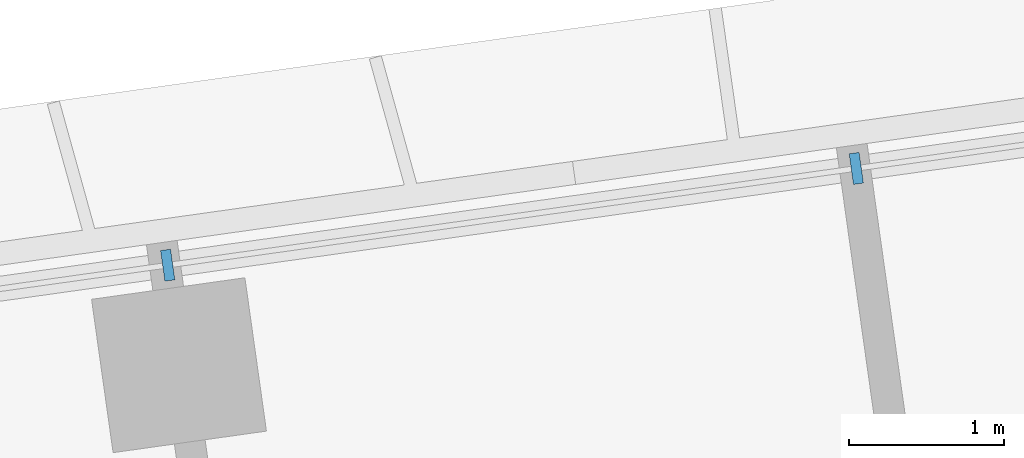
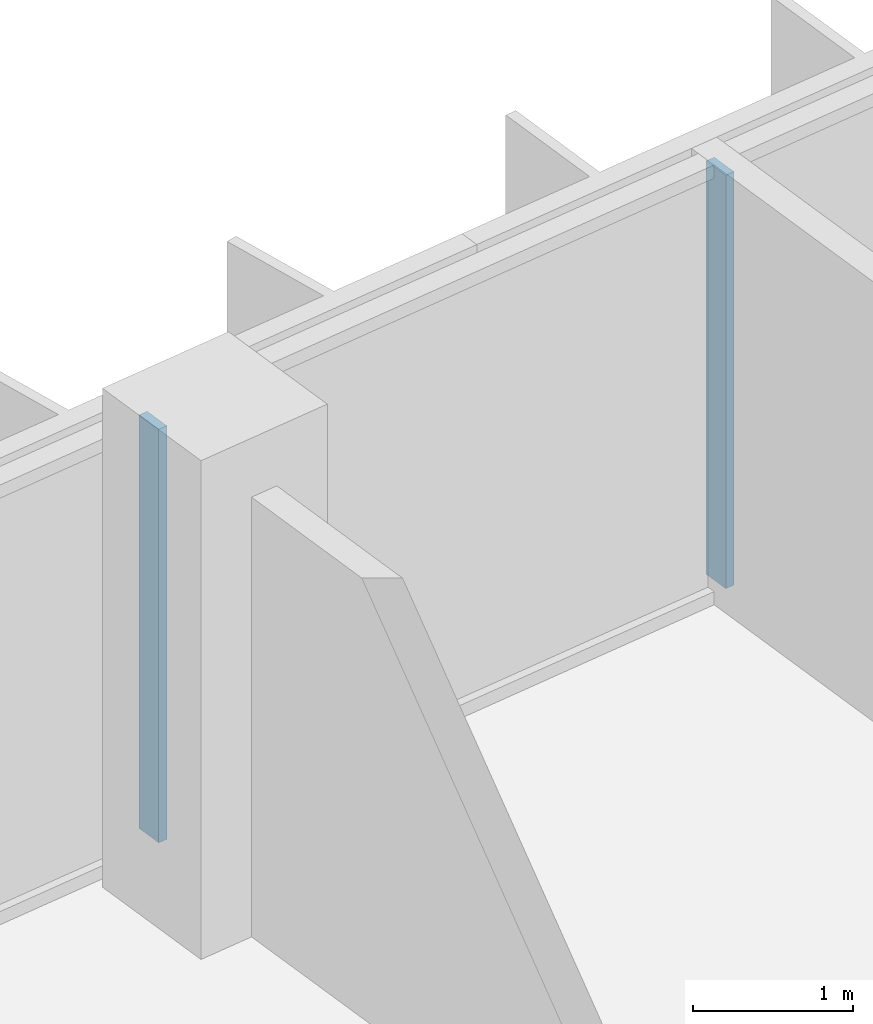
# One storey, part 8 of 24: 2 members, 1 element without a shape of its own.
"""IFC4 building model written with IfcOpenShell, lengths in metres."""

import ifcopenshell
import ifcopenshell.guid

model = None  # the IFC model being written
_history = None  # IfcOwnerHistory: only IFC2X3 demands one
_inside = {}  # id of a spatial element -> (the spatial element, [elements in it])
_under = {}  # id of a project, library or spatial element -> (it, [spatial elements below it])
_declared = {}  # id of a project -> (the project, [libraries it declares])
_typed = {}  # id of a type object -> (the type object, [elements of that type])
_made_of = {}  # id of a material, layer set ... -> (it, [elements and type objects made of it])


def new_model(schema):
    """Start an empty IFC model of exactly this schema.

    Asked for "IFC4X3", IfcOpenShell would pick the latest addendum, in which some entities
    have other attributes; the version numbers below select the first issue.
    IFC2X3 requires an IfcOwnerHistory on every rooted entity: one is made here for all.
    """
    global model, _history
    if schema == "IFC4X3":
        model = ifcopenshell.file(schema_version=(4, 3, 0, 0))
    else:
        model = ifcopenshell.file(schema=schema)
    _inside.clear()
    _under.clear()
    _declared.clear()
    _typed.clear()
    _made_of.clear()
    _history = None
    if model.schema == "IFC2X3":
        org = make("IfcOrganization", Name="unknown")
        user = make(
            "IfcPersonAndOrganization",
            ThePerson=make("IfcPerson", FamilyName="unknown"),
            TheOrganization=org,
        )
        app = make(
            "IfcApplication",
            ApplicationDeveloper=org,
            Version="unknown",
            ApplicationFullName="unknown",
            ApplicationIdentifier="unknown",
        )
        _history = make(
            "IfcOwnerHistory",
            OwningUser=user,
            OwningApplication=app,
            ChangeAction="ADDED",
            CreationDate=0,
        )
    return model


def make(cls, **values):
    """One entity of the class cls with the attributes given. An attribute that is None is left unset."""
    return model.create_entity(
        cls, **{name: value for name, value in values.items() if value is not None}
    )


def rooted(cls, **values):
    """An entity with a GlobalId (a new one), such as an element, a storey or a relation."""
    return make(cls, GlobalId=ifcopenshell.guid.new(), OwnerHistory=_history, **values)


def si_unit(unit_type, name, prefix=None):
    """IfcSIUnit, for example si_unit("LENGTHUNIT", "METRE", prefix="MILLI")."""
    return make("IfcSIUnit", UnitType=unit_type, Prefix=prefix, Name=name)


def assignment(units):
    """IfcUnitAssignment: the units of a project."""
    return None if units is None else make("IfcUnitAssignment", Units=units)


def point(xyz):
    """IfcCartesianPoint."""
    return None if xyz is None else make("IfcCartesianPoint", Coordinates=xyz)


def direction(xyz):
    """IfcDirection."""
    return None if xyz is None else make("IfcDirection", DirectionRatios=xyz)


def frame(location, z_axis=None, x_axis=None):
    """IfcAxis2Placement3D, a coordinate frame: its origin and axes. An axis left out is left unset."""
    return make(
        "IfcAxis2Placement3D",
        Location=point(location),
        Axis=direction(z_axis),
        RefDirection=direction(x_axis),
    )


def frame_2d(location, x_axis=None):
    """IfcAxis2Placement2D, a coordinate frame in the plane: its origin and x axis."""
    return make(
        "IfcAxis2Placement2D", Location=point(location), RefDirection=direction(x_axis)
    )


def origin():
    """The frame at (0, 0, 0) with its axes left unset."""
    return frame((0.0, 0.0, 0.0))


def origin_2d():
    """The frame at (0, 0) in the plane with its x axis left unset."""
    return frame_2d((0.0, 0.0))


def place(relative_to, where):
    """IfcLocalPlacement: puts the frame where relative to a parent placement (None: the world)."""
    return make(
        "IfcLocalPlacement", PlacementRelTo=relative_to, RelativePlacement=where
    )


def context(
    kind, dimensions, precision=None, world=None, true_north=None, identifier=None
):
    """IfcGeometricRepresentationContext, for example the 3D "Model" context."""
    return make(
        "IfcGeometricRepresentationContext",
        ContextIdentifier=identifier,
        ContextType=kind,
        CoordinateSpaceDimension=dimensions,
        Precision=precision,
        WorldCoordinateSystem=world,
        TrueNorth=true_north,
    )


def subcontext(parent, identifier, kind, view, scale=None):
    """IfcGeometricRepresentationSubContext, for example "Body" below "Model"."""
    return make(
        "IfcGeometricRepresentationSubContext",
        ContextIdentifier=identifier,
        ContextType=kind,
        ParentContext=parent,
        TargetScale=scale,
        TargetView=view,
    )


def project(units=None, contexts=None):
    """IfcProject with its units and contexts."""
    return rooted(
        "IfcProject",
        Name="project",
        RepresentationContexts=contexts,
        UnitsInContext=assignment(units),
    )


def spatial(cls, under=None, at=None, **own):
    """A site, building, storey or space (cls), placed at a placement, below another one or the project."""
    s = rooted(cls, ObjectPlacement=at, **own)
    if under is not None:
        _under.setdefault(under.id(), (under, []))[1].append(s)
    return s


def profile(cls, at=None, kind="AREA", **sizes):
    """A parametric profile (cls). Its sizes go by their IFC names, for example OverallWidth=200.0."""
    return make(cls, ProfileType=kind, Position=at, **sizes)


def rectangle(**sizes):
    """IfcRectangleProfileDef."""
    return profile("IfcRectangleProfileDef", **sizes)


def extrude(swept, where, along, depth):
    """IfcExtrudedAreaSolid: the profile swept, set in the frame where, extruded along a direction by depth."""
    return make(
        "IfcExtrudedAreaSolid",
        SweptArea=swept,
        Position=where,
        ExtrudedDirection=direction(along),
        Depth=depth,
    )


def shape(context_of_items, identifier, shape_type, items):
    """IfcShapeRepresentation: the items that make up one representation, for example the "Body"."""
    return make(
        "IfcShapeRepresentation",
        ContextOfItems=context_of_items,
        RepresentationIdentifier=identifier,
        RepresentationType=shape_type,
        Items=items,
    )


def material(Name=None, Category=None):
    """IfcMaterial."""
    return make("IfcMaterial", Name=Name, Category=Category)


def material_profile(
    of_material, cross_section, Name=None, Category=None, Priority=None
):
    """IfcMaterialProfile: a cross section and its material."""
    return make(
        "IfcMaterialProfile",
        Name=Name,
        Material=of_material,
        Profile=cross_section,
        Priority=Priority,
        Category=Category,
    )


def profile_set(profiles, Name=None, composite=None):
    """IfcMaterialProfileSet."""
    return make(
        "IfcMaterialProfileSet",
        Name=Name,
        MaterialProfiles=profiles,
        CompositeProfile=composite,
    )


def made_of(thing, what):
    """Note that an element or type object is made of a material, layer set ...; save() writes the relation."""
    if what is not None:
        _made_of.setdefault(what.id(), (what, []))[1].append(thing)
    return thing


def type_object(cls, material=None, **own):
    """A type object (cls), such as IfcWallType, which elements share."""
    return made_of(rooted(cls, **own), material)


def element(
    cls,
    number,
    at=None,
    inside=None,
    cuts=None,
    type_object=None,
    material=None,
    context=None,
    identifier="Body",
    shape_type=None,
    held_by="IfcProductDefinitionShape",
    body=None,
    shapes=None,
    **own,
):
    """One element of the class cls, such as IfcWall. Its Tag is "e" and its number.

    at: its placement. inside: the storey or other place that contains it. cuts: it is an
    opening in that element (IfcRelVoidsElement). A single representation is given by context,
    identifier, shape_type and body (its items); several are given by shapes. held_by: the class
    of the entity that holds the representations. save() writes the other relations.
    """
    e = rooted(cls, Tag="e%d" % number, ObjectPlacement=at, **own)
    if body is not None:
        shapes = [shape(context, identifier, shape_type, body)]
    if shapes is not None:
        e.Representation = make(held_by, Representations=shapes)
    if inside is not None:
        _inside.setdefault(inside.id(), (inside, []))[1].append(e)
    if cuts is not None:
        rooted(
            "IfcRelVoidsElement", RelatingBuildingElement=cuts, RelatedOpeningElement=e
        )
    if type_object is not None:
        _typed.setdefault(type_object.id(), (type_object, []))[1].append(e)
    return made_of(e, material)


def aggregate(whole, parts):
    """IfcRelAggregates: a whole, such as a stair, and the parts it consists of."""
    return rooted("IfcRelAggregates", RelatingObject=whole, RelatedObjects=parts)


def save(model, path):
    """Write the relations noted so far, then the file.

    IfcRelAggregates (storeys below a building ...), IfcRelContainedInSpatialStructure (elements
    in a storey), IfcRelDefinesByType, IfcRelAssociatesMaterial and IfcRelDeclares: one each for
    every whole, place, type object, material and project.
    """
    for whole, parts in _under.values():
        aggregate(whole, parts)
    for where, things in _inside.values():
        rooted(
            "IfcRelContainedInSpatialStructure",
            RelatedElements=things,
            RelatingStructure=where,
        )
    for kind, things in _typed.values():
        rooted("IfcRelDefinesByType", RelatedObjects=things, RelatingType=kind)
    for what, things in _made_of.values():
        rooted("IfcRelAssociatesMaterial", RelatedObjects=things, RelatingMaterial=what)
    for by, libraries in _declared.values():
        rooted("IfcRelDeclares", RelatingContext=by, RelatedDefinitions=libraries)
    model.write(path)


model = new_model("IFC4")

# Units and contexts
model_context = context("Model", 3, precision=1e-05, world=origin(), true_north=direction((0.0, 1.0)))
body_context = subcontext(model_context, "Body", "Model", "MODEL_VIEW")
ifc_project = project(units=[si_unit("LENGTHUNIT", "METRE"), si_unit("AREAUNIT", "SQUARE_METRE"), si_unit("VOLUMEUNIT", "CUBIC_METRE"), si_unit("PLANEANGLEUNIT", "RADIAN"), si_unit("MASSUNIT", "GRAM", prefix="KILO")], contexts=[model_context])

# Site, building, storey
site_placement = place(None, origin())
site = spatial("IfcSite", under=ifc_project, at=site_placement, CompositionType="ELEMENT")
building_placement = place(site_placement, origin())
building = spatial("IfcBuilding", under=site, at=building_placement, Name="Mirante Cascada Hotel Towers", CompositionType="ELEMENT")
storey_placement = place(building_placement, frame((0.0, 0.0, 85.1)))
storey = spatial("IfcBuildingStorey", under=building, at=storey_placement, Name="L18", CompositionType="ELEMENT", Elevation=85.1)

# Curtain wall, members
ifc_material_1 = material(Name="Aluminium mullion and transom frame with clear laminated glass", Category="aluminium")
curtain_wall_type = type_object("IfcCurtainWallType", Name="Ribbon curtain wall ECW1", PredefinedType="NOTDEFINED", material=ifc_material_1)
curtain_wall_placement = place(storey_placement, origin())
curtain_wall = element("IfcCurtainWall", 1, at=curtain_wall_placement, inside=storey, type_object=curtain_wall_type, Name="Front ribbon wall T2 L18", PredefinedType="NOTDEFINED")
ifc_material_2 = material(Name="Anodised aluminium extrusion", Category="aluminium")
ifc_material_profile = material_profile(ifc_material_2, rectangle(XDim=0.2, YDim=0.065, at=origin_2d()), Name="ECW1 MULLION 65x200")
ifc_profile_set = profile_set([ifc_material_profile], Name="Anodised aluminium extrusion")
member_type = type_object("IfcMemberType", Name="ECW1 mullion 65x200", PredefinedType="MULLION", material=ifc_profile_set)
member_1_placement = place(storey_placement, frame((58.5788, 21.0517, 0.1), z_axis=(0.0, 0.0, 1.0), x_axis=(0.1391731, -0.9902681, 0.0)))
member_1 = element("IfcMember", 2, at=member_1_placement, type_object=member_type, Name="ECW1 mullion 9", PredefinedType="MULLION", context=body_context, shape_type="SweptSolid", body=[
    extrude(rectangle(XDim=0.2, YDim=0.065, at=origin_2d()), origin(), (0.0, 0.0, 1.0), 3.15),
])
member_2_placement = place(storey_placement, frame((54.1314, 20.4267, 0.1), z_axis=(0.0, 0.0, 1.0), x_axis=(0.1391731, -0.9902681, 0.0)))
member_2 = element("IfcMember", 3, at=member_2_placement, type_object=member_type, Name="ECW1 mullion 10", PredefinedType="MULLION", context=body_context, shape_type="SweptSolid", body=[
    extrude(rectangle(XDim=0.2, YDim=0.065, at=origin_2d()), origin(), (0.0, 0.0, 1.0), 3.15),
])
aggregate(curtain_wall, [member_1, member_2])

save(model, "model.ifc")
